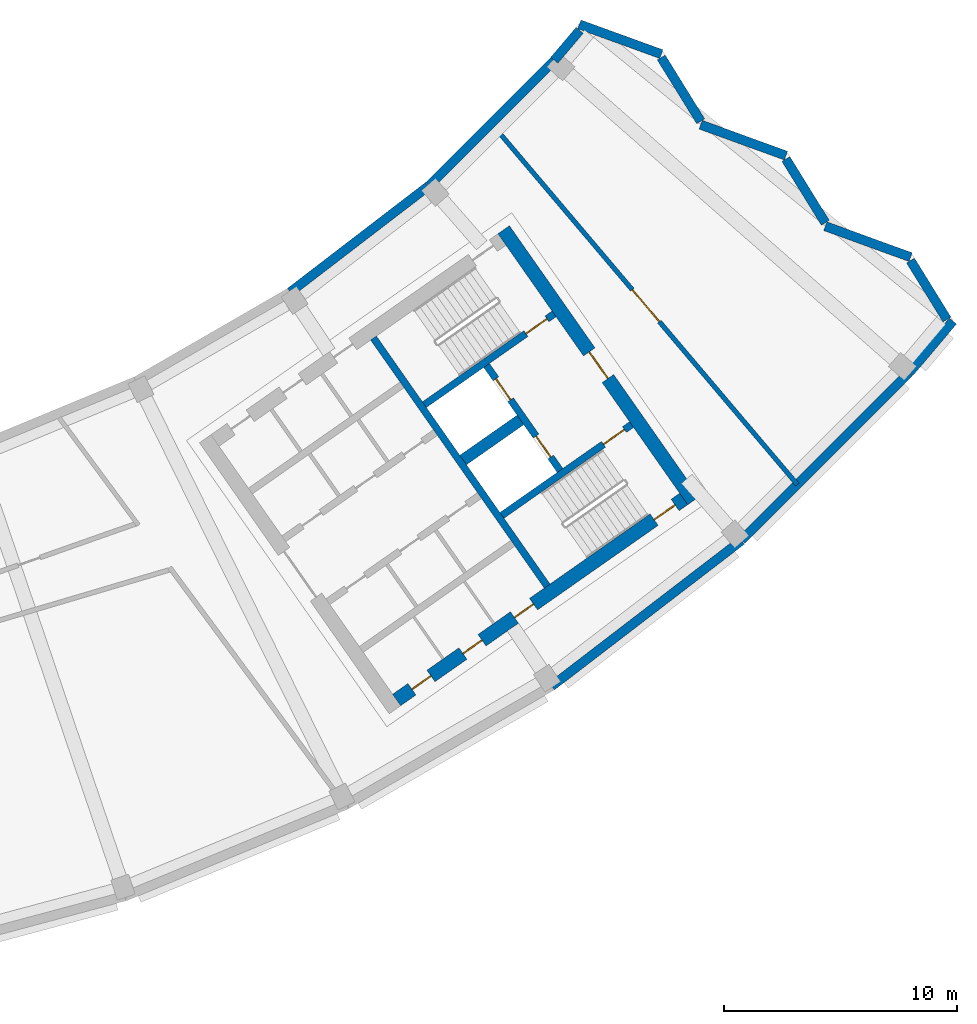
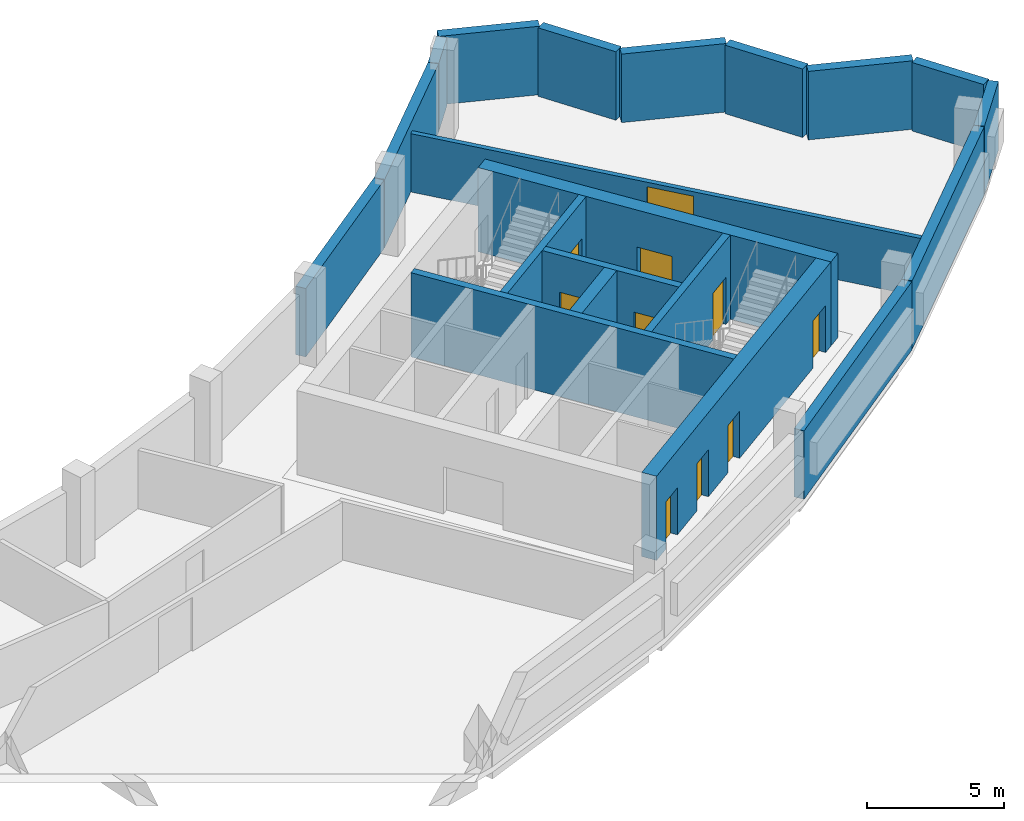
# One storey, part 6 of 11: 20 walls, 10 doors, 10 openings.
"""IFC4 building model written with IfcOpenShell, lengths in metres."""

from ifc_helpers import new_model, si_unit, direction, frame, frame_2d, origin, place, context, subcontext, project, spatial, rectangle, extrude, material, layer, layer_set, type_object, element, fill, save


model = new_model("IFC4")

# Units and contexts
model_context = context("Model", 3, precision=1e-05, world=origin(), true_north=direction((0.0, 1.0)))
body_context = subcontext(model_context, "Body", "Model", "MODEL_VIEW")
ifc_project = project(units=[si_unit("LENGTHUNIT", "METRE"), si_unit("AREAUNIT", "SQUARE_METRE"), si_unit("VOLUMEUNIT", "CUBIC_METRE"), si_unit("PLANEANGLEUNIT", "RADIAN"), si_unit("MASSUNIT", "GRAM", prefix="KILO")], contexts=[model_context])

# Site, building, storey
site_placement = place(None, origin())
site = spatial("IfcSite", under=ifc_project, at=site_placement, CompositionType="ELEMENT")
building_placement = place(site_placement, origin())
building = spatial("IfcBuilding", under=site, at=building_placement, Name="Qamariyya Broadcast Tower", CompositionType="ELEMENT")
storey_placement = place(building_placement, frame((0.0, 0.0, 294.699951171875)))
storey = spatial("IfcBuildingStorey", under=building, at=storey_placement, Name="L71", CompositionType="ELEMENT", Elevation=294.699951171875)

# Wall, opening, door
ifc_material_1 = material(Name="Concrete C60/75", Category="concrete")
ifc_layer_1 = layer(ifc_material_1, 0.60009765625)
ifc_layer_set_1 = layer_set([ifc_layer_1], Name="Core wall 600 mm Concrete C60/75")
wall_type_1 = type_object("IfcWallType", Name="Core wall 600 mm Concrete C60/75", PredefinedType="SHEAR", material=ifc_layer_set_1)
wall_1_placement = place(storey_placement, frame((49.4833984375, -57.031494140625, 0.0), z_axis=(0.0, 0.0, 1.0), x_axis=(-0.573560421458, 0.819163257805, 0.0)))
wall_1 = element("IfcWall", 1, at=wall_1_placement, inside=storey, type_object=wall_type_1, Name="k-E-L71-WH", PredefinedType="SHEAR", context=body_context, shape_type="SweptSolid", body=[
    extrude(rectangle(XDim=14.199951171875, YDim=0.60009765625, at=frame_2d((7.10009765625, 0.0))), origin(), (0.0, 0.0, 1.0), 3.75),
])
opening_1_placement = place(wall_1_placement, frame((6.39990234375, 0.0, 0.0)))
opening_1 = element("IfcOpeningElement", 2, at=opening_1_placement, cuts=wall_1, Name="Opening KD2-E1", PredefinedType="OPENING", context=body_context, shape_type="SweptSolid", body=[
    extrude(rectangle(XDim=1.39990234375, YDim=2.10009765625, at=frame_2d((0.699951171875, 1.050048828125))), frame((0.0, 0.31005859375, 0.0), z_axis=(0.0, -1.0, 0.0), x_axis=(1.0, 0.0, 0.0)), (0.0, 0.0, 1.0), 0.6201171875),
])
ifc_material_2 = material(Name="Steel fire-resisting door leaf", Category="steel")
door_type_1 = type_object("IfcDoorType", Name="Fire-fighting lobby door KD2", OperationType="DOUBLE_DOOR_SINGLE_SWING", PredefinedType="DOOR", material=ifc_material_2)
door_1_placement = place(opening_1_placement, origin())
door_1 = element("IfcDoor", 3, at=door_1_placement, inside=storey, type_object=door_type_1, Name="k-E-L71-WH-D16", OperationType="DOUBLE_DOOR_SINGLE_SWING", OverallHeight=2.10009765625, OverallWidth=1.39990234375, PredefinedType="DOOR", context=body_context, shape_type="SweptSolid", body=[
    extrude(rectangle(XDim=1.39990234375, YDim=2.10009765625, at=frame_2d((0.699951171875, 1.050048828125))), frame((0.0, 0.02490234375, 0.0), z_axis=(0.0, -1.0, 0.0), x_axis=(1.0, 0.0, 0.0)), (0.0, 0.0, 1.0), 0.050048828125),
])
fill(opening_1, door_1)

# Wall, openings, doors
wall_2_placement = place(storey_placement, frame((36.7412109375, -65.58740234375, 0.0), z_axis=(0.0, 0.0, 1.0), x_axis=(0.819153391756, 0.573574511963, 0.0)))
wall_2 = element("IfcWall", 4, at=wall_2_placement, inside=storey, type_object=wall_type_1, Name="k-E-L71-WO", PredefinedType="SHEAR", context=body_context, shape_type="SweptSolid", body=[
    extrude(rectangle(XDim=15.04541015625, YDim=0.60009765625, at=frame_2d((7.522705078125, 0.0))), origin(), (0.0, 0.0, 1.0), 3.75),
])
opening_2_placement = place(wall_2_placement, frame((0.800048828125, 0.0, 0.0)))
opening_2 = element("IfcOpeningElement", 5, at=opening_2_placement, cuts=wall_2, Name="Opening KD4-E10", PredefinedType="OPENING", context=body_context, shape_type="SweptSolid", body=[
    extrude(rectangle(XDim=1.0, YDim=2.10009765625, at=frame_2d((0.5, 1.050048828125))), frame((0.0, 0.31005859375, 0.0), z_axis=(0.0, -1.0, 0.0), x_axis=(1.0, 0.0, 0.0)), (0.0, 0.0, 1.0), 0.6201171875),
])
opening_3_placement = place(wall_2_placement, frame((3.47509765625, 0.0, 0.0)))
opening_3 = element("IfcOpeningElement", 6, at=opening_3_placement, cuts=wall_2, Name="Opening KD4-E11", PredefinedType="OPENING", context=body_context, shape_type="SweptSolid", body=[
    extrude(rectangle(XDim=1.0, YDim=2.10009765625, at=frame_2d((0.5, 1.050048828125))), frame((0.0, 0.31005859375, 0.0), z_axis=(0.0, -1.0, 0.0), x_axis=(1.0, 0.0, 0.0)), (0.0, 0.0, 1.0), 0.6201171875),
])
opening_4_placement = place(wall_2_placement, frame((6.175048828125, 0.0, 0.0)))
opening_4 = element("IfcOpeningElement", 7, at=opening_4_placement, cuts=wall_2, Name="Opening KD4-E12", PredefinedType="OPENING", context=body_context, shape_type="SweptSolid", body=[
    extrude(rectangle(XDim=1.0, YDim=2.10009765625, at=frame_2d((0.5, 1.050048828125))), frame((0.0, 0.31005859375, 0.0), z_axis=(0.0, -1.0, 0.0), x_axis=(1.0, 0.0, 0.0)), (0.0, 0.0, 1.0), 0.6201171875),
])
opening_5_placement = place(wall_2_placement, frame((13.495361328125, 0.0, 0.0)))
opening_5 = element("IfcOpeningElement", 8, at=opening_5_placement, cuts=wall_2, Name="Opening KD1-E3", PredefinedType="OPENING", context=body_context, shape_type="SweptSolid", body=[
    extrude(rectangle(XDim=1.10009765625, YDim=2.10009765625, at=frame_2d((0.550048828125, 1.050048828125))), frame((0.0, 0.31005859375, 0.0), z_axis=(0.0, -1.0, 0.0), x_axis=(1.0, 0.0, 0.0)), (0.0, 0.0, 1.0), 0.6201171875),
])
door_type_2 = type_object("IfcDoorType", Name="Riser and plant door KD4", OperationType="SINGLE_SWING_LEFT", PredefinedType="DOOR", material=ifc_material_2)
door_2_placement = place(opening_2_placement, origin())
door_2 = element("IfcDoor", 9, at=door_2_placement, inside=storey, type_object=door_type_2, Name="k-E-L71-WO-D11", OperationType="SINGLE_SWING_LEFT", OverallHeight=2.10009765625, OverallWidth=1.0, PredefinedType="DOOR", context=body_context, shape_type="SweptSolid", body=[
    extrude(rectangle(XDim=1.0, YDim=2.10009765625, at=frame_2d((0.5, 1.050048828125))), frame((0.0, 0.02490234375, 0.0), z_axis=(0.0, -1.0, 0.0), x_axis=(1.0, 0.0, 0.0)), (0.0, 0.0, 1.0), 0.050048828125),
])
fill(opening_2, door_2)
door_3_placement = place(opening_3_placement, origin())
door_3 = element("IfcDoor", 10, at=door_3_placement, inside=storey, type_object=door_type_2, Name="k-E-L71-WO-D12", OperationType="SINGLE_SWING_RIGHT", OverallHeight=2.10009765625, OverallWidth=1.0, PredefinedType="DOOR", context=body_context, shape_type="SweptSolid", body=[
    extrude(rectangle(XDim=1.0, YDim=2.10009765625, at=frame_2d((0.5, 1.050048828125))), frame((0.0, 0.02490234375, 0.0), z_axis=(0.0, -1.0, 0.0), x_axis=(1.0, 0.0, 0.0)), (0.0, 0.0, 1.0), 0.050048828125),
])
fill(opening_3, door_3)
door_4_placement = place(opening_4_placement, origin())
door_4 = element("IfcDoor", 11, at=door_4_placement, inside=storey, type_object=door_type_2, Name="k-E-L71-WO-D13", OperationType="SINGLE_SWING_LEFT", OverallHeight=2.10009765625, OverallWidth=1.0, PredefinedType="DOOR", context=body_context, shape_type="SweptSolid", body=[
    extrude(rectangle(XDim=1.0, YDim=2.10009765625, at=frame_2d((0.5, 1.050048828125))), frame((0.0, 0.02490234375, 0.0), z_axis=(0.0, -1.0, 0.0), x_axis=(1.0, 0.0, 0.0)), (0.0, 0.0, 1.0), 0.050048828125),
])
fill(opening_4, door_4)
door_type_3 = type_object("IfcDoorType", Name="Stair door KD1", OperationType="SINGLE_SWING_LEFT", PredefinedType="DOOR", material=ifc_material_2)
door_5_placement = place(opening_5_placement, origin())
door_5 = element("IfcDoor", 12, at=door_5_placement, inside=storey, type_object=door_type_3, Name="k-E-L71-WO-D19", OperationType="SINGLE_SWING_LEFT", OverallHeight=2.10009765625, OverallWidth=1.10009765625, PredefinedType="DOOR", context=body_context, shape_type="SweptSolid", body=[
    extrude(rectangle(XDim=1.10009765625, YDim=2.10009765625, at=frame_2d((0.550048828125, 1.050048828125))), frame((0.0, 0.02490234375, 0.0), z_axis=(0.0, -1.0, 0.0), x_axis=(1.0, 0.0, 0.0)), (0.0, 0.0, 1.0), 0.050048828125),
])
fill(opening_5, door_5)

# Walls
ifc_layer_2 = layer(ifc_material_1, 0.5)
ifc_layer_set_2 = layer_set([ifc_layer_2], Name="Fire-fighting lobby divider wall 500 mm Concrete C60/75")
wall_type_2 = type_object("IfcWallType", Name="Fire-fighting lobby divider wall 500 mm Concrete C60/75", PredefinedType="SOLIDWALL", material=ifc_layer_set_2)
wall_3_placement = place(storey_placement, frame((39.59912109375, -55.28515625, 0.0), z_axis=(0.0, 0.0, 1.0), x_axis=(0.819136323161, 0.573598887793, 0.0)))
element("IfcWall", 13, at=wall_3_placement, inside=storey, type_object=wall_type_2, Name="k-E-L71-FD", PredefinedType="SOLIDWALL", context=body_context, shape_type="SweptSolid", body=[
    extrude(rectangle(XDim=2.999755859375, YDim=0.5, at=frame_2d((1.5, 0.0))), origin(), (0.0, 0.0, 1.0), 3.75),
])
ifc_layer_3 = layer(ifc_material_1, 0.300048828125)
ifc_layer_set_3 = layer_set([ifc_layer_3], Name="Lift shaft wall 300 mm Concrete C60/75")
wall_type_3 = type_object("IfcWallType", Name="Lift shaft wall 300 mm Concrete C60/75", PredefinedType="SOLIDWALL", material=ifc_layer_set_3)
wall_4_placement = place(storey_placement, frame((43.204345703125, -60.69580078125, 0.0), z_axis=(0.0, 0.0, 1.0), x_axis=(-0.573571992966, 0.819155155563, 0.0)))
element("IfcWall", 14, at=wall_4_placement, inside=storey, type_object=wall_type_3, Name="k-E-L71-WL", PredefinedType="SOLIDWALL", context=body_context, shape_type="SweptSolid", body=[
    extrude(rectangle(XDim=13.000244140625, YDim=0.300048828125, at=frame_2d((6.5, 0.0))), origin(), (0.0, 0.0, 1.0), 3.75),
])

# Wall, opening, door
wall_5_placement = place(storey_placement, frame((37.935546875, -52.90966796875, 0.0), z_axis=(0.0, 0.0, 1.0), x_axis=(0.819147518138, 0.57358290031, 0.0)))
wall_5 = element("IfcWall", 15, at=wall_5_placement, inside=storey, type_object=wall_type_3, Name="k-E-L71-NW", PredefinedType="SOLIDWALL", context=body_context, shape_type="SweptSolid", body=[
    extrude(rectangle(XDim=6.79541015625, YDim=0.300048828125, at=frame_2d((3.397705078125, 0.0))), origin(), (0.0, 0.0, 1.0), 3.75),
])
opening_6_placement = place(wall_5_placement, frame((5.3203125, 0.0, 0.0)))
opening_6 = element("IfcOpeningElement", 16, at=opening_6_placement, cuts=wall_5, Name="Opening KD1-E2", PredefinedType="OPENING", context=body_context, shape_type="SweptSolid", body=[
    extrude(rectangle(XDim=1.10009765625, YDim=2.10009765625, at=frame_2d((0.550048828125, 1.050048828125))), frame((0.0, 0.159912109375, 0.0), z_axis=(0.0, -1.0, 0.0), x_axis=(1.0, 0.0, 0.0)), (0.0, 0.0, 1.0), 0.320068359375),
])
door_6_placement = place(opening_6_placement, origin())
door_6 = element("IfcDoor", 17, at=door_6_placement, inside=storey, type_object=door_type_3, Name="k-E-L71-NW-D18", OperationType="SINGLE_SWING_RIGHT", OverallHeight=2.10009765625, OverallWidth=1.10009765625, PredefinedType="DOOR", context=body_context, shape_type="SweptSolid", body=[
    extrude(rectangle(XDim=1.10009765625, YDim=2.10009765625, at=frame_2d((0.550048828125, 1.050048828125))), frame((0.0, 0.02490234375, 0.0), z_axis=(0.0, -1.0, 0.0), x_axis=(1.0, 0.0, 0.0)), (0.0, 0.0, 1.0), 0.050048828125),
])
fill(opening_6, door_6)

wall_6_placement = place(storey_placement, frame((41.262451171875, -57.66064453125, 0.0), z_axis=(0.0, 0.0, 1.0), x_axis=(0.819164398642, 0.573558792102, 0.0)))
wall_6 = element("IfcWall", 18, at=wall_6_placement, inside=storey, type_object=wall_type_3, Name="k-E-L71-SW", PredefinedType="SOLIDWALL", context=body_context, shape_type="SweptSolid", body=[
    extrude(rectangle(XDim=6.795166015625, YDim=0.300048828125, at=frame_2d((3.3974609375, 0.0))), origin(), (0.0, 0.0, 1.0), 3.75),
])
opening_7_placement = place(wall_6_placement, frame((5.3203125, 0.0, 0.0)))
opening_7 = element("IfcOpeningElement", 19, at=opening_7_placement, cuts=wall_6, Name="Opening KD1-E4", PredefinedType="OPENING", context=body_context, shape_type="SweptSolid", body=[
    extrude(rectangle(XDim=1.10009765625, YDim=2.10009765625, at=frame_2d((0.550048828125, 1.050048828125))), frame((0.0, 0.159912109375, 0.0), z_axis=(0.0, -1.0, 0.0), x_axis=(1.0, 0.0, 0.0)), (0.0, 0.0, 1.0), 0.320068359375),
])
door_7_placement = place(opening_7_placement, origin())
door_7 = element("IfcDoor", 20, at=door_7_placement, inside=storey, type_object=door_type_3, Name="k-E-L71-SW-D20", OperationType="SINGLE_SWING_RIGHT", OverallHeight=2.10009765625, OverallWidth=1.10009765625, PredefinedType="DOOR", context=body_context, shape_type="SweptSolid", body=[
    extrude(rectangle(XDim=1.10009765625, YDim=2.10009765625, at=frame_2d((0.550048828125, 1.050048828125))), frame((0.0, 0.02490234375, 0.0), z_axis=(0.0, -1.0, 0.0), x_axis=(1.0, 0.0, 0.0)), (0.0, 0.0, 1.0), 0.050048828125),
])
fill(opening_7, door_7)

# Wall, openings, doors
wall_7_placement = place(storey_placement, frame((43.756591796875, -55.731201171875, 0.0), z_axis=(0.0, 0.0, 1.0), x_axis=(-0.573536818435, 0.819179783625, 0.0)))
wall_7 = element("IfcWall", 21, at=wall_7_placement, inside=storey, type_object=wall_type_3, Name="k-E-L71-FF", PredefinedType="SOLIDWALL", context=body_context, shape_type="SweptSolid", body=[
    extrude(rectangle(XDim=5.500244140625, YDim=0.300048828125, at=frame_2d((2.75, 0.0))), origin(), (0.0, 0.0, 1.0), 3.75),
])
opening_8_placement = place(wall_7_placement, frame((0.699951171875, 0.0, 0.0)))
opening_8 = element("IfcOpeningElement", 22, at=opening_8_placement, cuts=wall_7, Name="Opening LD", PredefinedType="OPENING", context=body_context, shape_type="SweptSolid", body=[
    extrude(rectangle(XDim=1.10009765625, YDim=2.10009765625, at=frame_2d((0.550048828125, 1.050048828125))), frame((0.0, 0.159912109375, 0.0), z_axis=(0.0, -1.0, 0.0), x_axis=(1.0, 0.0, 0.0)), (0.0, 0.0, 1.0), 0.320068359375),
])
opening_9_placement = place(wall_7_placement, frame((3.699951171875, 0.0, 0.0)))
opening_9 = element("IfcOpeningElement", 23, at=opening_9_placement, cuts=wall_7, Name="Opening LD", PredefinedType="OPENING", context=body_context, shape_type="SweptSolid", body=[
    extrude(rectangle(XDim=1.10009765625, YDim=2.10009765625, at=frame_2d((0.550048828125, 1.050048828125))), frame((0.0, 0.159912109375, 0.0), z_axis=(0.0, -1.0, 0.0), x_axis=(1.0, 0.0, 0.0)), (0.0, 0.0, 1.0), 0.320068359375),
])
door_type_4 = type_object("IfcDoorType", Name="Lift landing door LD", OperationType="DOUBLE_DOOR_SLIDING", PredefinedType="DOOR", material=ifc_material_2)
door_8_placement = place(opening_8_placement, origin())
door_8 = element("IfcDoor", 24, at=door_8_placement, inside=storey, type_object=door_type_4, Name="k-E-L71-FF-D14", OperationType="DOUBLE_DOOR_SLIDING", OverallHeight=2.10009765625, OverallWidth=1.10009765625, PredefinedType="DOOR", context=body_context, shape_type="SweptSolid", body=[
    extrude(rectangle(XDim=1.10009765625, YDim=2.10009765625, at=frame_2d((0.550048828125, 1.050048828125))), frame((0.0, 0.02490234375, 0.0), z_axis=(0.0, -1.0, 0.0), x_axis=(1.0, 0.0, 0.0)), (0.0, 0.0, 1.0), 0.050048828125),
])
fill(opening_8, door_8)
door_9_placement = place(opening_9_placement, origin())
door_9 = element("IfcDoor", 25, at=door_9_placement, inside=storey, type_object=door_type_4, Name="k-E-L71-FF-D15", OperationType="DOUBLE_DOOR_SLIDING", OverallHeight=2.10009765625, OverallWidth=1.10009765625, PredefinedType="DOOR", context=body_context, shape_type="SweptSolid", body=[
    extrude(rectangle(XDim=1.10009765625, YDim=2.10009765625, at=frame_2d((0.550048828125, 1.050048828125))), frame((0.0, 0.02490234375, 0.0), z_axis=(0.0, -1.0, 0.0), x_axis=(1.0, 0.0, 0.0)), (0.0, 0.0, 1.0), 0.050048828125),
])
fill(opening_9, door_9)

# Wall, opening, door
ifc_material_3 = material(Name="Masonry block wall", Category="masonry")
ifc_layer_4 = layer(ifc_material_3, 0.199951171875)
ifc_layer_set_4 = layer_set([ifc_layer_4], Name="Plant room wall 200 EI 120")
wall_type_4 = type_object("IfcWallType", Name="Plant room wall 200 EI 120", PredefinedType="PARTITIONING", material=ifc_layer_set_4)
wall_8_placement = place(storey_placement, frame((40.93603515625, -40.982666015625, 0.0), z_axis=(0.0, 0.0, 1.0), x_axis=(0.646426079671, -0.76297662056, 0.0)))
wall_8 = element("IfcWall", 26, at=wall_8_placement, inside=storey, type_object=wall_type_4, Name="Partition L71-024", PredefinedType="PARTITIONING", context=body_context, shape_type="SweptSolid", body=[
    extrude(rectangle(XDim=20.1259765625, YDim=0.199951171875, at=frame_2d((10.06298828125, 0.0))), origin(), (0.0, 0.0, 1.0), 2.60009765625),
])
opening_10_placement = place(wall_8_placement, frame((9.1630859375, 0.0, 0.0)))
opening_10 = element("IfcOpeningElement", 27, at=opening_10_placement, cuts=wall_8, Name="Opening L71-D12", PredefinedType="OPENING", context=body_context, shape_type="SweptSolid", body=[
    extrude(rectangle(XDim=1.800048828125, YDim=2.39990234375, at=frame_2d((0.89990234375, 1.199951171875))), frame((0.0, 0.10986328125, 0.0), z_axis=(0.0, -1.0, 0.0), x_axis=(1.0, 0.0, 0.0)), (0.0, 0.0, 1.0), 0.219970703125),
])
ifc_material_4 = material(Name="Insulated metal door leaf")
door_type_5 = type_object("IfcDoorType", Name="Plant double door 1800 x 2400 FD120", OperationType="NOTDEFINED", PredefinedType="DOOR", material=ifc_material_4)
door_10_placement = place(opening_10_placement, origin())
door_10 = element("IfcDoor", 28, at=door_10_placement, inside=storey, type_object=door_type_5, Name="Door L71-D12", OperationType="DOUBLE_DOOR_SINGLE_SWING", OverallHeight=2.39990234375, OverallWidth=1.800048828125, PredefinedType="DOOR", context=body_context, shape_type="SweptSolid", body=[
    extrude(rectangle(XDim=1.800048828125, YDim=2.39990234375, at=frame_2d((0.89990234375, 1.199951171875))), frame((0.0, 0.02490234375, 0.0), z_axis=(0.0, -1.0, 0.0), x_axis=(1.0, 0.0, 0.0)), (0.0, 0.0, 1.0), 0.050048828125),
])
fill(opening_10, door_10)

# Walls
ifc_material_5 = material(Name="Terracotta", Category="masonry")
ifc_layer_5 = layer(ifc_material_5, 0.39990234375)
ifc_layer_set_5 = layer_set([ifc_layer_5], Name="Solid terracotta louvred band wall 400")
wall_type_5 = type_object("IfcWallType", Name="Solid terracotta louvred band wall 400", PredefinedType="SOLIDWALL", material=ifc_layer_set_5)
wall_9_placement = place(storey_placement, frame((60.36962890625, -49.252685546875, 0.0), z_axis=(0.0, 0.0, 1.0), x_axis=(-0.525538284274, 0.850769952315, 0.0)))
element("IfcWall", 29, at=wall_9_placement, inside=storey, type_object=wall_type_5, Name="e-wl-L71-capE0", PredefinedType="SOLIDWALL", context=body_context, shape_type="SweptSolid", body=[
    extrude(rectangle(XDim=2.976318359375, YDim=0.39990234375, at=frame_2d((1.48828125, 0.0))), origin(), (0.0, 0.0, 1.0), 3.050048828125),
])
wall_10_placement = place(storey_placement, frame((58.806396484375, -46.57421875, 0.0), z_axis=(0.0, 0.0, 1.0), x_axis=(-0.940075029039, 0.340967652099, 0.0)))
element("IfcWall", 30, at=wall_10_placement, inside=storey, type_object=wall_type_5, Name="e-wl-L71-capE1", PredefinedType="SOLIDWALL", context=body_context, shape_type="SweptSolid", body=[
    extrude(rectangle(XDim=3.893798828125, YDim=0.39990234375, at=frame_2d((1.94677734375, 0.0))), origin(), (0.0, 0.0, 1.0), 3.050048828125),
])
wall_11_placement = place(storey_placement, frame((55.14697265625, -45.1005859375, 0.0), z_axis=(0.0, 0.0, 1.0), x_axis=(-0.525649491409, 0.850701247314, 0.0)))
element("IfcWall", 31, at=wall_11_placement, inside=storey, type_object=wall_type_5, Name="e-wl-L71-capE2", PredefinedType="SOLIDWALL", context=body_context, shape_type="SweptSolid", body=[
    extrude(rectangle(XDim=3.21923828125, YDim=0.39990234375, at=frame_2d((1.609619140625, 0.0))), origin(), (0.0, 0.0, 1.0), 3.050048828125),
])
wall_12_placement = place(storey_placement, frame((53.455810546875, -42.216064453125, 0.0), z_axis=(0.0, 0.0, 1.0), x_axis=(-0.940086069154, 0.340937212083, 0.0)))
element("IfcWall", 32, at=wall_12_placement, inside=storey, type_object=wall_type_5, Name="e-wl-L71-capE3", PredefinedType="SOLIDWALL", context=body_context, shape_type="SweptSolid", body=[
    extrude(rectangle(XDim=3.892578125, YDim=0.39990234375, at=frame_2d((1.9462890625, 0.0))), origin(), (0.0, 0.0, 1.0), 3.050048828125),
])
wall_13_placement = place(storey_placement, frame((49.797119140625, -40.742919921875, 0.0), z_axis=(0.0, 0.0, 1.0), x_axis=(-0.525678481137, 0.850683333838, 0.0)))
element("IfcWall", 33, at=wall_13_placement, inside=storey, type_object=wall_type_5, Name="e-wl-L71-capE4", PredefinedType="SOLIDWALL", context=body_context, shape_type="SweptSolid", body=[
    extrude(rectangle(XDim=3.220458984375, YDim=0.39990234375, at=frame_2d((1.6103515625, 0.0))), origin(), (0.0, 0.0, 1.0), 3.050048828125),
])
wall_14_placement = place(storey_placement, frame((48.105224609375, -37.857421875, 0.0), z_axis=(0.0, 0.0, 1.0), x_axis=(-0.940130056589, 0.340815898541, 0.0)))
element("IfcWall", 34, at=wall_14_placement, inside=storey, type_object=wall_type_5, Name="e-wl-L71-capE5", PredefinedType="SOLIDWALL", context=body_context, shape_type="SweptSolid", body=[
    extrude(rectangle(XDim=3.742919921875, YDim=0.39990234375, at=frame_2d((1.87158203125, 0.0))), origin(), (0.0, 0.0, 1.0), 3.050048828125),
])
wall_15_placement = place(storey_placement, frame((38.103271484375, -43.525146484375, 0.0), z_axis=(0.0, 0.0, 1.0), x_axis=(-0.793355236357, -0.608758957999, 0.0)))
element("IfcWall", 35, at=wall_15_placement, inside=storey, type_object=wall_type_5, Name="e-wl-L71-in120", PredefinedType="SOLIDWALL", context=body_context, shape_type="SweptSolid", body=[
    extrude(rectangle(XDim=7.4658203125, YDim=0.39990234375, at=frame_2d((3.73291015625, 0.0))), origin(), (0.0, 0.0, 1.0), 3.050048828125),
])
wall_16_placement = place(storey_placement, frame((43.50146484375, -38.13623046875, 0.0), z_axis=(0.0, 0.0, 1.0), x_axis=(-0.707106781187, -0.707106781187, 0.0)))
element("IfcWall", 36, at=wall_16_placement, inside=storey, type_object=wall_type_5, Name="e-wl-L71-in130", PredefinedType="SOLIDWALL", context=body_context, shape_type="SweptSolid", body=[
    extrude(rectangle(XDim=7.6025390625, YDim=0.39990234375, at=frame_2d((3.80126953125, 0.0))), origin(), (0.0, 0.0, 1.0), 3.050048828125),
])
wall_17_placement = place(storey_placement, frame((44.59814453125, -36.8369140625, 0.0), z_axis=(0.0, 0.0, 1.0), x_axis=(-0.645545650865, -0.763721685334, 0.0)))
element("IfcWall", 37, at=wall_17_placement, inside=storey, type_object=wall_type_5, Name="e-wl-L71-in140", PredefinedType="SOLIDWALL", context=body_context, shape_type="SweptSolid", body=[
    extrude(rectangle(XDim=1.68359375, YDim=0.39990234375, at=frame_2d((0.841796875, 0.0))), origin(), (0.0, 0.0, 1.0), 3.050048828125),
])
wall_18_placement = place(storey_placement, frame((43.397705078125, -64.994140625, 0.0), z_axis=(0.0, 0.0, 1.0), x_axis=(0.793354972355, 0.608759302055, 0.0)))
element("IfcWall", 38, at=wall_18_placement, inside=storey, type_object=wall_type_5, Name="e-wl-L71-out120", PredefinedType="SOLIDWALL", context=body_context, shape_type="SweptSolid", body=[
    extrude(rectangle(XDim=10.2724609375, YDim=0.39990234375, at=frame_2d((5.13623046875, 0.0))), origin(), (0.0, 0.0, 1.0), 3.050048828125),
])
wall_19_placement = place(storey_placement, frame((51.5634765625, -58.719970703125, 0.0), z_axis=(0.0, 0.0, 1.0), x_axis=(0.707118813872, 0.707094748296, 0.0)))
element("IfcWall", 39, at=wall_19_placement, inside=storey, type_object=wall_type_5, Name="e-wl-L71-out130", PredefinedType="SOLIDWALL", context=body_context, shape_type="SweptSolid", body=[
    extrude(rectangle(XDim=10.144775390625, YDim=0.39990234375, at=frame_2d((5.072265625, 0.0))), origin(), (0.0, 0.0, 1.0), 3.050048828125),
])
wall_20_placement = place(storey_placement, frame((58.74951171875, -51.53564453125, 0.0), z_axis=(0.0, 0.0, 1.0), x_axis=(0.6455801385, 0.763692532878, 0.0)))
element("IfcWall", 40, at=wall_20_placement, inside=storey, type_object=wall_type_5, Name="e-wl-L71-out140", PredefinedType="SOLIDWALL", context=body_context, shape_type="SweptSolid", body=[
    extrude(rectangle(XDim=2.902099609375, YDim=0.39990234375, at=frame_2d((1.451171875, 0.0))), origin(), (0.0, 0.0, 1.0), 3.050048828125),
])

save(model, "model.ifc")
